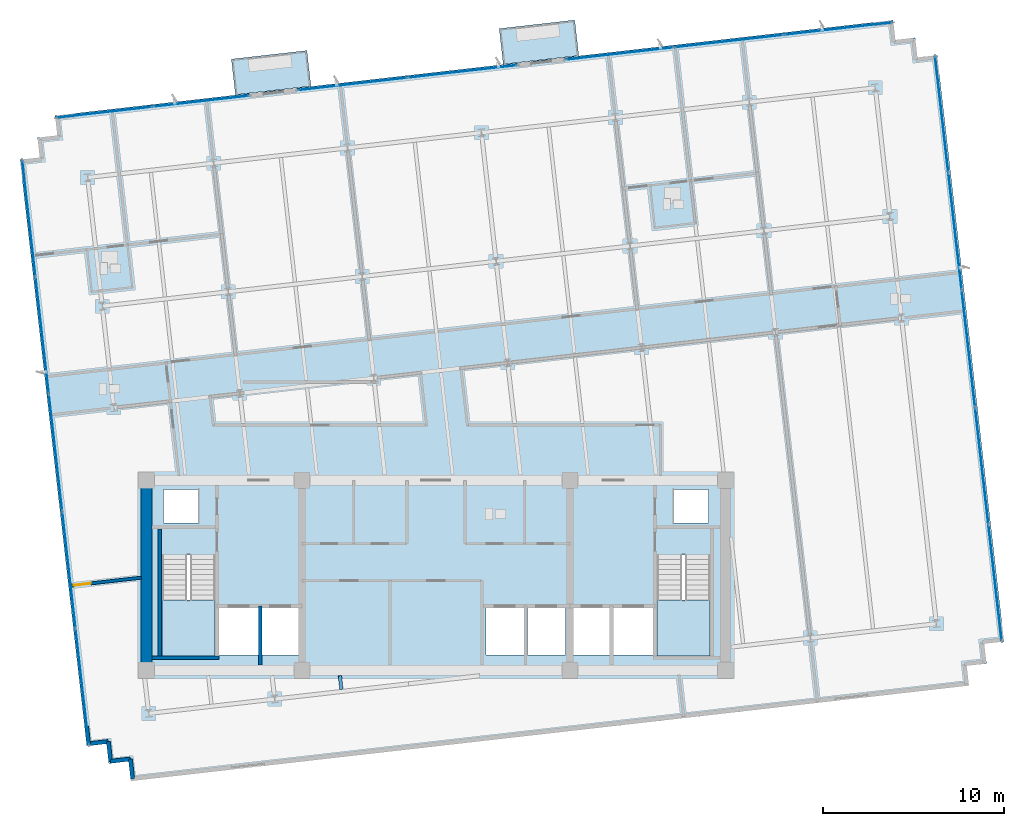
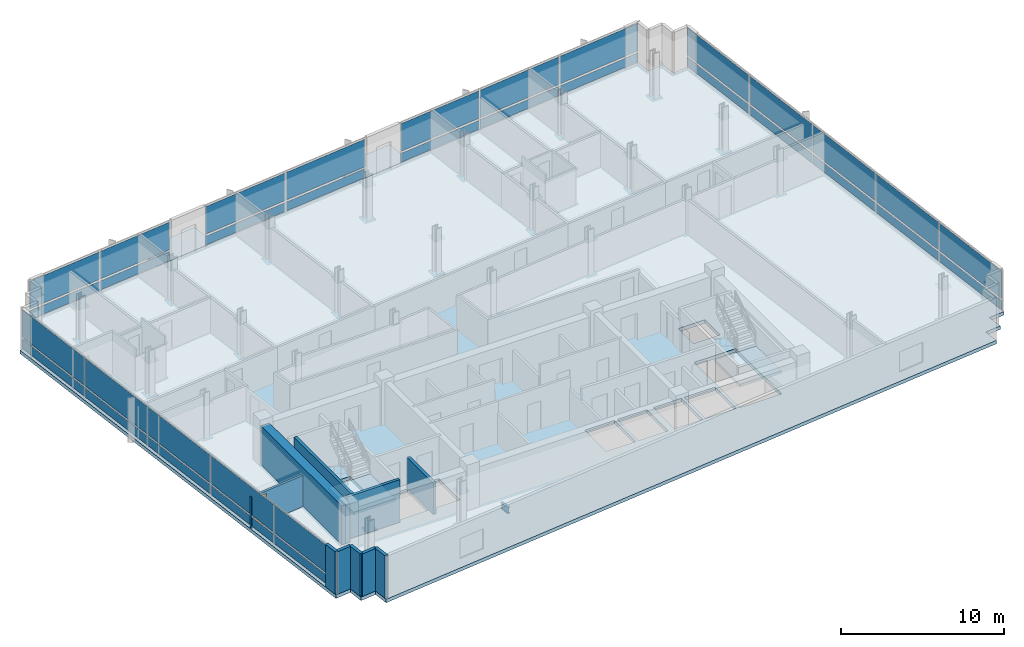
# One storey, part 7 of 15: 34 plates, 10 walls, 5 slabs, 1 beam, 1 door, 1 opening, 7 elements without a shape of their own.
"""IFC4 building model written with IfcOpenShell, lengths in metres."""

from ifc_helpers import new_model, si_unit, direction, frame, frame_2d, origin, origin_2d, place, context, subcontext, project, spatial, polyline, rectangle, i_section, outline, extrude, material, layer, layer_set, material_profile, profile_set, type_object, element, fill, aggregate, save


model = new_model("IFC4")

# Units and contexts
model_context = context("Model", 3, precision=1e-05, world=origin(), true_north=direction((0.0, 1.0)))
body_context = subcontext(model_context, "Body", "Model", "MODEL_VIEW")
ifc_project = project(units=[si_unit("LENGTHUNIT", "METRE"), si_unit("AREAUNIT", "SQUARE_METRE"), si_unit("VOLUMEUNIT", "CUBIC_METRE"), si_unit("PLANEANGLEUNIT", "RADIAN"), si_unit("MASSUNIT", "GRAM", prefix="KILO")], contexts=[model_context])

# Site, building, storey
site_placement = place(None, origin())
site = spatial("IfcSite", under=ifc_project, at=site_placement, CompositionType="ELEMENT")
building_placement = place(site_placement, origin())
building = spatial("IfcBuilding", under=site, at=building_placement, Name="Solmavex Isthmus Hotel", CompositionType="ELEMENT")
storey_placement = place(building_placement, frame((0.0, 0.0, 226.199951171875)))
storey = spatial("IfcBuildingStorey", under=building, at=storey_placement, Name="L61", CompositionType="ELEMENT", Elevation=226.199951171875)

# Beam
ifc_material_1 = material(Name="Steel ASTM A992 Grade 50", Category="steel")
ifc_material_profile = material_profile(ifc_material_1, i_section(OverallWidth=0.1904296875, OverallDepth=0.456787109375, WebThickness=0.009033203125, FlangeThickness=0.014404296875, FilletRadius=0.0126953125, at=origin_2d()), Name="W18X50")
ifc_profile_set = profile_set([ifc_material_profile], Name="Steel ASTM A992 Grade 50")
beam_type = type_object("IfcBeamType", Name="BM-BJ-W18X50", PredefinedType="JOIST", material=ifc_profile_set)
beam_placement = place(storey_placement, frame((-5.2236328125, -14.05419921875, -0.48828125), z_axis=(-0.112902470797, 0.993606074905, 0.0), x_axis=(-0.993606074905, -0.112902470797, 0.0)))
element("IfcBeam", 1, at=beam_placement, inside=storey, type_object=beam_type, Name="Secondary Floor Joist L61-J05", PredefinedType="JOIST", context=body_context, shape_type="SweptSolid", body=[
    extrude(i_section(OverallWidth=0.1904296875, OverallDepth=0.456787109375, WebThickness=0.009033203125, FlangeThickness=0.014404296875, FilletRadius=0.0126953125, at=origin_2d()), origin(), (0.0, 0.0, 1.0), 0.759033203125),
])

# Curtain wall, plates
ifc_material_2 = material(Name="Aluminium alloy 6063-T6", Category="aluminium")
curtain_wall_type = type_object("IfcCurtainWallType", Name="CW-SYS-04", PredefinedType="NOTDEFINED", material=ifc_material_2)
curtain_wall_1_placement = place(storey_placement, origin())
curtain_wall_1 = element("IfcCurtainWall", 2, at=curtain_wall_1_placement, inside=storey, type_object=curtain_wall_type, Name="Stick Curtain Wall CWL-L61-N1", PredefinedType="NOTDEFINED")
ifc_material_3 = material(Name="Clear low-E laminated glass", Category="glass")
ifc_layer_1 = layer(ifc_material_3, 0.033935546875)
ifc_layer_set_1 = layer_set([ifc_layer_1], Name="Clear low-E laminated glass")
plate_type = type_object("IfcPlateType", Name="CW-SYS-04-PNL", PredefinedType="CURTAIN_PANEL", material=ifc_layer_set_1)
plate_1_placement = place(storey_placement, frame((-18.322021484375, 17.832763671875, 0.14990234375), z_axis=(0.0, 0.0, 1.0), x_axis=(0.993571901125, 0.113202814871, 0.0)))
plate_1 = element("IfcPlate", 3, at=plate_1_placement, type_object=plate_type, Name="CW-04 panel 1.1", PredefinedType="CURTAIN_PANEL", context=body_context, shape_type="SweptSolid", body=[
    extrude(rectangle(XDim=5.302978515625, YDim=0.033935546875, at=origin_2d()), origin(), (0.0, 0.0, 1.0), 0.675048828125),
])
plate_2_placement = place(storey_placement, frame((-18.322021484375, 17.832763671875, 0.97509765625), z_axis=(0.0, 0.0, 1.0), x_axis=(0.993571901125, 0.113202814871, 0.0)))
plate_2 = element("IfcPlate", 4, at=plate_2_placement, type_object=plate_type, Name="CW-04 panel 1.2", PredefinedType="CURTAIN_PANEL", context=body_context, shape_type="SweptSolid", body=[
    extrude(rectangle(XDim=5.302978515625, YDim=0.033935546875, at=origin_2d()), origin(), (0.0, 0.0, 1.0), 2.06494140625),
])
plate_3_placement = place(storey_placement, frame((-12.978515625, 18.441650390625, 0.14990234375), z_axis=(0.0, 0.0, 1.0), x_axis=(0.993571901125, 0.113202814871, 0.0)))
plate_3 = element("IfcPlate", 5, at=plate_3_placement, type_object=plate_type, Name="CW-04 panel 2.1", PredefinedType="CURTAIN_PANEL", context=body_context, shape_type="SweptSolid", body=[
    extrude(rectangle(XDim=5.302978515625, YDim=0.033935546875, at=origin_2d()), origin(), (0.0, 0.0, 1.0), 0.675048828125),
])
plate_4_placement = place(storey_placement, frame((-12.978515625, 18.441650390625, 0.97509765625), z_axis=(0.0, 0.0, 1.0), x_axis=(0.993571901125, 0.113202814871, 0.0)))
plate_4 = element("IfcPlate", 6, at=plate_4_placement, type_object=plate_type, Name="CW-04 panel 2.2", PredefinedType="CURTAIN_PANEL", context=body_context, shape_type="SweptSolid", body=[
    extrude(rectangle(XDim=5.302978515625, YDim=0.033935546875, at=origin_2d()), origin(), (0.0, 0.0, 1.0), 2.06494140625),
])
aggregate(curtain_wall_1, [plate_1, plate_2, plate_3, plate_4])

curtain_wall_2_placement = place(storey_placement, origin())
curtain_wall_2 = element("IfcCurtainWall", 7, at=curtain_wall_2_placement, inside=storey, type_object=curtain_wall_type, Name="Stick Curtain Wall CWL-L61-N2", PredefinedType="NOTDEFINED")
plate_5_placement = place(storey_placement, frame((-4.6142578125, 19.39453125, 0.14990234375), z_axis=(0.0, 0.0, 1.0), x_axis=(0.993571896348, 0.113202856801, 0.0)))
plate_5 = element("IfcPlate", 8, at=plate_5_placement, type_object=plate_type, Name="CW-04 panel 1.1", PredefinedType="CURTAIN_PANEL", context=body_context, shape_type="SweptSolid", body=[
    extrude(rectangle(XDim=6.033447265625, YDim=0.033935546875, at=origin_2d()), origin(), (0.0, 0.0, 1.0), 0.675048828125),
])
plate_6_placement = place(storey_placement, frame((-4.6142578125, 19.39453125, 0.97509765625), z_axis=(0.0, 0.0, 1.0), x_axis=(0.993571896348, 0.113202856801, 0.0)))
plate_6 = element("IfcPlate", 9, at=plate_6_placement, type_object=plate_type, Name="CW-04 panel 1.2", PredefinedType="CURTAIN_PANEL", context=body_context, shape_type="SweptSolid", body=[
    extrude(rectangle(XDim=6.033447265625, YDim=0.033935546875, at=origin_2d()), origin(), (0.0, 0.0, 1.0), 2.06494140625),
])
plate_7_placement = place(storey_placement, frame((1.454833984375, 20.086181640625, 0.14990234375), z_axis=(0.0, 0.0, 1.0), x_axis=(0.993571896348, 0.113202856801, 0.0)))
plate_7 = element("IfcPlate", 10, at=plate_7_placement, type_object=plate_type, Name="CW-04 panel 2.1", PredefinedType="CURTAIN_PANEL", context=body_context, shape_type="SweptSolid", body=[
    extrude(rectangle(XDim=6.033447265625, YDim=0.033935546875, at=origin_2d()), origin(), (0.0, 0.0, 1.0), 0.675048828125),
])
plate_8_placement = place(storey_placement, frame((1.454833984375, 20.086181640625, 0.97509765625), z_axis=(0.0, 0.0, 1.0), x_axis=(0.993571896348, 0.113202856801, 0.0)))
plate_8 = element("IfcPlate", 11, at=plate_8_placement, type_object=plate_type, Name="CW-04 panel 2.2", PredefinedType="CURTAIN_PANEL", context=body_context, shape_type="SweptSolid", body=[
    extrude(rectangle(XDim=6.033447265625, YDim=0.033935546875, at=origin_2d()), origin(), (0.0, 0.0, 1.0), 2.06494140625),
])
aggregate(curtain_wall_2, [plate_5, plate_6, plate_7, plate_8])

curtain_wall_3_placement = place(storey_placement, origin())
curtain_wall_3 = element("IfcCurtainWall", 12, at=curtain_wall_3_placement, inside=storey, type_object=curtain_wall_type, Name="Stick Curtain Wall CWL-L61-N3", PredefinedType="NOTDEFINED")
plate_9_placement = place(storey_placement, frame((10.1552734375, 21.077392578125, 0.14990234375), z_axis=(0.0, 0.0, 1.0), x_axis=(0.99357182379, 0.113203493636, 0.0)))
plate_9 = element("IfcPlate", 13, at=plate_9_placement, type_object=plate_type, Name="CW-04 panel 1.1", PredefinedType="CURTAIN_PANEL", context=body_context, shape_type="SweptSolid", body=[
    extrude(rectangle(XDim=5.979736328125, YDim=0.033935546875, at=origin_2d()), origin(), (0.0, 0.0, 1.0), 0.675048828125),
])
plate_10_placement = place(storey_placement, frame((10.1552734375, 21.077392578125, 0.97509765625), z_axis=(0.0, 0.0, 1.0), x_axis=(0.99357182379, 0.113203493636, 0.0)))
plate_10 = element("IfcPlate", 14, at=plate_10_placement, type_object=plate_type, Name="CW-04 panel 1.2", PredefinedType="CURTAIN_PANEL", context=body_context, shape_type="SweptSolid", body=[
    extrude(rectangle(XDim=5.979736328125, YDim=0.033935546875, at=origin_2d()), origin(), (0.0, 0.0, 1.0), 2.06494140625),
])
plate_11_placement = place(storey_placement, frame((16.189697265625, 21.764892578125, 0.14990234375), z_axis=(0.0, 0.0, 1.0), x_axis=(0.99357182379, 0.113203493636, 0.0)))
plate_11 = element("IfcPlate", 15, at=plate_11_placement, type_object=plate_type, Name="CW-04 panel 2.1", PredefinedType="CURTAIN_PANEL", context=body_context, shape_type="SweptSolid", body=[
    extrude(rectangle(XDim=6.017333984375, YDim=0.033935546875, at=origin_2d()), origin(), (0.0, 0.0, 1.0), 0.675048828125),
])
plate_12_placement = place(storey_placement, frame((16.189697265625, 21.764892578125, 0.97509765625), z_axis=(0.0, 0.0, 1.0), x_axis=(0.99357182379, 0.113203493636, 0.0)))
plate_12 = element("IfcPlate", 16, at=plate_12_placement, type_object=plate_type, Name="CW-04 panel 2.2", PredefinedType="CURTAIN_PANEL", context=body_context, shape_type="SweptSolid", body=[
    extrude(rectangle(XDim=6.017333984375, YDim=0.033935546875, at=origin_2d()), origin(), (0.0, 0.0, 1.0), 2.06494140625),
])
plate_13_placement = place(storey_placement, frame((22.224365234375, 22.45263671875, 0.14990234375), z_axis=(0.0, 0.0, 1.0), x_axis=(0.99357182379, 0.113203493636, 0.0)))
plate_13 = element("IfcPlate", 17, at=plate_13_placement, type_object=plate_type, Name="CW-04 panel 3.1", PredefinedType="CURTAIN_PANEL", context=body_context, shape_type="SweptSolid", body=[
    extrude(rectangle(XDim=5.979736328125, YDim=0.033935546875, at=origin_2d()), origin(), (0.0, 0.0, 1.0), 0.675048828125),
])
plate_14_placement = place(storey_placement, frame((22.224365234375, 22.45263671875, 0.97509765625), z_axis=(0.0, 0.0, 1.0), x_axis=(0.99357182379, 0.113203493636, 0.0)))
plate_14 = element("IfcPlate", 18, at=plate_14_placement, type_object=plate_type, Name="CW-04 panel 3.2", PredefinedType="CURTAIN_PANEL", context=body_context, shape_type="SweptSolid", body=[
    extrude(rectangle(XDim=5.979736328125, YDim=0.033935546875, at=origin_2d()), origin(), (0.0, 0.0, 1.0), 2.06494140625),
])
aggregate(curtain_wall_3, [plate_9, plate_10, plate_11, plate_12, plate_13, plate_14])

curtain_wall_4_placement = place(storey_placement, origin())
curtain_wall_4 = element("IfcCurtainWall", 19, at=curtain_wall_4_placement, inside=storey, type_object=curtain_wall_type, Name="Stick Curtain Wall CWL-L61-W1", PredefinedType="NOTDEFINED")
plate_15_placement = place(storey_placement, frame((-19.542724609375, -13.91064453125, 0.14990234375), z_axis=(0.0, 0.0, 1.0), x_axis=(-0.11320338078, 0.993571836648, 0.0)))
plate_15 = element("IfcPlate", 20, at=plate_15_placement, type_object=plate_type, Name="CW-04 panel 1.1", PredefinedType="CURTAIN_PANEL", context=body_context, shape_type="SweptSolid", body=[
    extrude(rectangle(XDim=6.407470703125, YDim=0.033935546875, at=origin_2d()), origin(), (0.0, 0.0, 1.0), 0.675048828125),
])
plate_16_placement = place(storey_placement, frame((-19.542724609375, -13.91064453125, 0.97509765625), z_axis=(0.0, 0.0, 1.0), x_axis=(-0.11320338078, 0.993571836648, 0.0)))
plate_16 = element("IfcPlate", 21, at=plate_16_placement, type_object=plate_type, Name="CW-04 panel 1.2", PredefinedType="CURTAIN_PANEL", context=body_context, shape_type="SweptSolid", body=[
    extrude(rectangle(XDim=6.407470703125, YDim=0.033935546875, at=origin_2d()), origin(), (0.0, 0.0, 1.0), 2.06494140625),
])
plate_17_placement = place(storey_placement, frame((-20.27880859375, -7.451171875, 0.14990234375), z_axis=(0.0, 0.0, 1.0), x_axis=(-0.11320338078, 0.993571836648, 0.0)))
plate_17 = element("IfcPlate", 22, at=plate_17_placement, type_object=plate_type, Name="CW-04 panel 2.1", PredefinedType="CURTAIN_PANEL", context=body_context, shape_type="SweptSolid", body=[
    extrude(rectangle(XDim=6.445068359375, YDim=0.033935546875, at=origin_2d()), origin(), (0.0, 0.0, 1.0), 0.675048828125),
])
plate_18_placement = place(storey_placement, frame((-20.27880859375, -7.451171875, 0.97509765625), z_axis=(0.0, 0.0, 1.0), x_axis=(-0.11320338078, 0.993571836648, 0.0)))
plate_18 = element("IfcPlate", 23, at=plate_18_placement, type_object=plate_type, Name="CW-04 panel 2.2", PredefinedType="CURTAIN_PANEL", context=body_context, shape_type="SweptSolid", body=[
    extrude(rectangle(XDim=6.445068359375, YDim=0.033935546875, at=origin_2d()), origin(), (0.0, 0.0, 1.0), 2.06494140625),
])
plate_19_placement = place(storey_placement, frame((-21.016845703125, -0.97314453125, 0.14990234375), z_axis=(0.0, 0.0, 1.0), x_axis=(-0.11320338078, 0.993571836648, 0.0)))
plate_19 = element("IfcPlate", 24, at=plate_19_placement, type_object=plate_type, Name="CW-04 panel 3.1", PredefinedType="CURTAIN_PANEL", context=body_context, shape_type="SweptSolid", body=[
    extrude(rectangle(XDim=6.445068359375, YDim=0.033935546875, at=origin_2d()), origin(), (0.0, 0.0, 1.0), 0.675048828125),
])
plate_20_placement = place(storey_placement, frame((-21.016845703125, -0.97314453125, 0.97509765625), z_axis=(0.0, 0.0, 1.0), x_axis=(-0.11320338078, 0.993571836648, 0.0)))
plate_20 = element("IfcPlate", 25, at=plate_20_placement, type_object=plate_type, Name="CW-04 panel 3.2", PredefinedType="CURTAIN_PANEL", context=body_context, shape_type="SweptSolid", body=[
    extrude(rectangle(XDim=6.445068359375, YDim=0.033935546875, at=origin_2d()), origin(), (0.0, 0.0, 1.0), 2.06494140625),
])
plate_21_placement = place(storey_placement, frame((-21.7548828125, 5.5048828125, 0.14990234375), z_axis=(0.0, 0.0, 1.0), x_axis=(-0.11320338078, 0.993571836648, 0.0)))
plate_21 = element("IfcPlate", 26, at=plate_21_placement, type_object=plate_type, Name="CW-04 panel 4.1", PredefinedType="CURTAIN_PANEL", context=body_context, shape_type="SweptSolid", body=[
    extrude(rectangle(XDim=6.445068359375, YDim=0.033935546875, at=origin_2d()), origin(), (0.0, 0.0, 1.0), 0.675048828125),
])
plate_22_placement = place(storey_placement, frame((-21.7548828125, 5.5048828125, 0.97509765625), z_axis=(0.0, 0.0, 1.0), x_axis=(-0.11320338078, 0.993571836648, 0.0)))
plate_22 = element("IfcPlate", 27, at=plate_22_placement, type_object=plate_type, Name="CW-04 panel 4.2", PredefinedType="CURTAIN_PANEL", context=body_context, shape_type="SweptSolid", body=[
    extrude(rectangle(XDim=6.445068359375, YDim=0.033935546875, at=origin_2d()), origin(), (0.0, 0.0, 1.0), 2.06494140625),
])
plate_23_placement = place(storey_placement, frame((-22.490966796875, 11.96435546875, 0.14990234375), z_axis=(0.0, 0.0, 1.0), x_axis=(-0.11320338078, 0.993571836648, 0.0)))
plate_23 = element("IfcPlate", 28, at=plate_23_placement, type_object=plate_type, Name="CW-04 panel 5.1", PredefinedType="CURTAIN_PANEL", context=body_context, shape_type="SweptSolid", body=[
    extrude(rectangle(XDim=6.407470703125, YDim=0.033935546875, at=origin_2d()), origin(), (0.0, 0.0, 1.0), 0.675048828125),
])
plate_24_placement = place(storey_placement, frame((-22.490966796875, 11.96435546875, 0.97509765625), z_axis=(0.0, 0.0, 1.0), x_axis=(-0.11320338078, 0.993571836648, 0.0)))
plate_24 = element("IfcPlate", 29, at=plate_24_placement, type_object=plate_type, Name="CW-04 panel 5.2", PredefinedType="CURTAIN_PANEL", context=body_context, shape_type="SweptSolid", body=[
    extrude(rectangle(XDim=6.407470703125, YDim=0.033935546875, at=origin_2d()), origin(), (0.0, 0.0, 1.0), 2.06494140625),
])
aggregate(curtain_wall_4, [plate_15, plate_16, plate_17, plate_18, plate_19, plate_20, plate_21, plate_22, plate_23, plate_24])

curtain_wall_5_placement = place(storey_placement, origin())
curtain_wall_5 = element("IfcCurtainWall", 30, at=curtain_wall_5_placement, inside=storey, type_object=curtain_wall_type, Name="Stick Curtain Wall CWL-L61-E1", PredefinedType="NOTDEFINED")
plate_25_placement = place(storey_placement, frame((30.890869140625, -8.16455078125, 0.14990234375), z_axis=(0.0, 0.0, 1.0), x_axis=(-0.11320338078, 0.993571836648, 0.0)))
plate_25 = element("IfcPlate", 31, at=plate_25_placement, type_object=plate_type, Name="CW-04 panel 1.1", PredefinedType="CURTAIN_PANEL", context=body_context, shape_type="SweptSolid", body=[
    extrude(rectangle(XDim=6.407470703125, YDim=0.033935546875, at=origin_2d()), origin(), (0.0, 0.0, 1.0), 0.675048828125),
])
plate_26_placement = place(storey_placement, frame((30.890869140625, -8.16455078125, 0.97509765625), z_axis=(0.0, 0.0, 1.0), x_axis=(-0.11320338078, 0.993571836648, 0.0)))
plate_26 = element("IfcPlate", 32, at=plate_26_placement, type_object=plate_type, Name="CW-04 panel 1.2", PredefinedType="CURTAIN_PANEL", context=body_context, shape_type="SweptSolid", body=[
    extrude(rectangle(XDim=6.407470703125, YDim=0.033935546875, at=origin_2d()), origin(), (0.0, 0.0, 1.0), 2.06494140625),
])
plate_27_placement = place(storey_placement, frame((30.155029296875, -1.705078125, 0.14990234375), z_axis=(0.0, 0.0, 1.0), x_axis=(-0.11320338078, 0.993571836648, 0.0)))
plate_27 = element("IfcPlate", 33, at=plate_27_placement, type_object=plate_type, Name="CW-04 panel 2.1", PredefinedType="CURTAIN_PANEL", context=body_context, shape_type="SweptSolid", body=[
    extrude(rectangle(XDim=6.445068359375, YDim=0.033935546875, at=origin_2d()), origin(), (0.0, 0.0, 1.0), 0.675048828125),
])
plate_28_placement = place(storey_placement, frame((30.155029296875, -1.705078125, 0.97509765625), z_axis=(0.0, 0.0, 1.0), x_axis=(-0.11320338078, 0.993571836648, 0.0)))
plate_28 = element("IfcPlate", 34, at=plate_28_placement, type_object=plate_type, Name="CW-04 panel 2.2", PredefinedType="CURTAIN_PANEL", context=body_context, shape_type="SweptSolid", body=[
    extrude(rectangle(XDim=6.445068359375, YDim=0.033935546875, at=origin_2d()), origin(), (0.0, 0.0, 1.0), 2.06494140625),
])
plate_29_placement = place(storey_placement, frame((29.416748046875, 4.773193359375, 0.14990234375), z_axis=(0.0, 0.0, 1.0), x_axis=(-0.11320338078, 0.993571836648, 0.0)))
plate_29 = element("IfcPlate", 35, at=plate_29_placement, type_object=plate_type, Name="CW-04 panel 3.1", PredefinedType="CURTAIN_PANEL", context=body_context, shape_type="SweptSolid", body=[
    extrude(rectangle(XDim=6.445068359375, YDim=0.033935546875, at=origin_2d()), origin(), (0.0, 0.0, 1.0), 0.675048828125),
])
plate_30_placement = place(storey_placement, frame((29.416748046875, 4.773193359375, 0.97509765625), z_axis=(0.0, 0.0, 1.0), x_axis=(-0.11320338078, 0.993571836648, 0.0)))
plate_30 = element("IfcPlate", 36, at=plate_30_placement, type_object=plate_type, Name="CW-04 panel 3.2", PredefinedType="CURTAIN_PANEL", context=body_context, shape_type="SweptSolid", body=[
    extrude(rectangle(XDim=6.445068359375, YDim=0.033935546875, at=origin_2d()), origin(), (0.0, 0.0, 1.0), 2.06494140625),
])
plate_31_placement = place(storey_placement, frame((28.6787109375, 11.251220703125, 0.14990234375), z_axis=(0.0, 0.0, 1.0), x_axis=(-0.11320338078, 0.993571836648, 0.0)))
plate_31 = element("IfcPlate", 37, at=plate_31_placement, type_object=plate_type, Name="CW-04 panel 4.1", PredefinedType="CURTAIN_PANEL", context=body_context, shape_type="SweptSolid", body=[
    extrude(rectangle(XDim=6.445068359375, YDim=0.033935546875, at=origin_2d()), origin(), (0.0, 0.0, 1.0), 0.675048828125),
])
plate_32_placement = place(storey_placement, frame((28.6787109375, 11.251220703125, 0.97509765625), z_axis=(0.0, 0.0, 1.0), x_axis=(-0.11320338078, 0.993571836648, 0.0)))
plate_32 = element("IfcPlate", 38, at=plate_32_placement, type_object=plate_type, Name="CW-04 panel 4.2", PredefinedType="CURTAIN_PANEL", context=body_context, shape_type="SweptSolid", body=[
    extrude(rectangle(XDim=6.445068359375, YDim=0.033935546875, at=origin_2d()), origin(), (0.0, 0.0, 1.0), 2.06494140625),
])
plate_33_placement = place(storey_placement, frame((27.94287109375, 17.710693359375, 0.14990234375), z_axis=(0.0, 0.0, 1.0), x_axis=(-0.11320338078, 0.993571836648, 0.0)))
plate_33 = element("IfcPlate", 39, at=plate_33_placement, type_object=plate_type, Name="CW-04 panel 5.1", PredefinedType="CURTAIN_PANEL", context=body_context, shape_type="SweptSolid", body=[
    extrude(rectangle(XDim=6.407470703125, YDim=0.033935546875, at=origin_2d()), origin(), (0.0, 0.0, 1.0), 0.675048828125),
])
plate_34_placement = place(storey_placement, frame((27.94287109375, 17.710693359375, 0.97509765625), z_axis=(0.0, 0.0, 1.0), x_axis=(-0.11320338078, 0.993571836648, 0.0)))
plate_34 = element("IfcPlate", 40, at=plate_34_placement, type_object=plate_type, Name="CW-04 panel 5.2", PredefinedType="CURTAIN_PANEL", context=body_context, shape_type="SweptSolid", body=[
    extrude(rectangle(XDim=6.407470703125, YDim=0.033935546875, at=origin_2d()), origin(), (0.0, 0.0, 1.0), 2.06494140625),
])
aggregate(curtain_wall_5, [plate_25, plate_26, plate_27, plate_28, plate_29, plate_30, plate_31, plate_32, plate_33, plate_34])

# Slabs
ifc_material_4 = material(Name="Concrete C40/50", Category="concrete")
ifc_layer_2 = layer(ifc_material_4, 0.239990234375)
ifc_layer_set_2 = layer_set([ifc_layer_2], Name="Concrete C40/50")
slab_type_1 = type_object("IfcSlabType", Name="SLAB-BALC-240", PredefinedType="FLOOR", material=ifc_layer_set_2)
slab_1_placement = place(storey_placement, frame((0.0, 0.0, -0.239990234375)))
element("IfcSlab", 41, at=slab_1_placement, inside=storey, type_object=slab_type_1, Name="Tree-Planter Balcony Slab L61-B1", PredefinedType="FLOOR", context=body_context, shape_type="SweptSolid", body=[
    extrude(outline(polyline([(-11.07958984375, 18.7939453125), (-6.90673828125, 19.269287109375), (-7.13134765625, 21.24169921875), (-11.304443359375, 20.76611328125), (-11.07958984375, 18.7939453125)])), origin(), (0.0, 0.0, 1.0), 0.239990234375),
])
slab_2_placement = place(storey_placement, frame((0.0, 0.0, -0.239990234375)))
element("IfcSlab", 42, at=slab_2_placement, inside=storey, type_object=slab_type_1, Name="Tree-Planter Balcony Slab L61-B2", PredefinedType="FLOOR", context=body_context, shape_type="SweptSolid", body=[
    extrude(outline(polyline([(3.716552734375, 20.479736328125), (7.8896484375, 20.955078125), (7.664794921875, 22.927490234375), (3.491943359375, 22.451904296875), (3.716552734375, 20.479736328125)])), origin(), (0.0, 0.0, 1.0), 0.239990234375),
])
ifc_layer_3 = layer(ifc_material_4, 0.260009765625)
ifc_layer_set_3 = layer_set([ifc_layer_3], Name="Concrete C40/50")
slab_type_2 = type_object("IfcSlabType", Name="SLAB-TYP-260", PredefinedType="FLOOR", material=ifc_layer_set_3)
slab_3_placement = place(storey_placement, frame((0.0, 0.0, -0.260009765625)))
element("IfcSlab", 43, at=slab_3_placement, inside=storey, type_object=slab_type_2, Name="Tower Structural Floor Slab L61", PredefinedType="FLOOR", context=body_context, shape_type="SweptSolid", body=[
    extrude(outline(polyline([(-15.762939453125, -18.994140625), (28.3515625, -13.968017578125), (29.444580078125, -13.843505859375), (29.320068359375, -12.75048828125), (30.412841796875, -12.6259765625), (30.288330078125, -11.532958984375), (31.38134765625, -11.408447265625), (31.2568359375, -10.315673828125), (27.8154296875, 19.888916015625), (27.69091796875, 20.98193359375), (26.597900390625, 20.857421875), (26.473388671875, 21.9501953125), (25.38037109375, 21.82568359375), (25.255859375, 22.918701171875), (24.1630859375, 22.794189453125), (-19.95166015625, 17.76806640625), (-21.04443359375, 17.6435546875), (-20.919921875, 16.550537109375), (-22.012939453125, 16.426025390625), (-21.888427734375, 15.3330078125), (-22.981201171875, 15.20849609375), (-22.856689453125, 14.11572265625), (-19.415283203125, -16.0888671875), (-19.290771484375, -17.181884765625), (-18.197998046875, -17.057373046875), (-18.073486328125, -18.150390625), (-16.98046875, -18.02587890625), (-16.85595703125, -19.11865234375), (-15.762939453125, -18.994140625)]), holes=[polyline([(-15.14990234375, -6.617919921875), (-15.14990234375, -12.199951171875), (-12.199951171875, -12.199951171875), (-12.199951171875, -6.617919921875), (-15.14990234375, -6.617919921875)]), polyline([(12.199951171875, -6.617919921875), (12.199951171875, -12.199951171875), (15.14990234375, -12.199951171875), (15.14990234375, -6.617919921875), (12.199951171875, -6.617919921875)]), polyline([(-12.0, -12.14990234375), (-9.800048828125, -12.14990234375), (-9.800048828125, -9.550048828125), (-12.0, -9.550048828125), (-12.0, -12.14990234375)]), polyline([(9.800048828125, -12.14990234375), (12.0, -12.14990234375), (12.0, -9.550048828125), (9.800048828125, -9.550048828125), (9.800048828125, -12.14990234375)]), polyline([(-9.60009765625, -12.14990234375), (-7.60009765625, -12.14990234375), (-7.60009765625, -9.550048828125), (-9.60009765625, -9.550048828125), (-9.60009765625, -12.14990234375)]), polyline([(7.60009765625, -12.14990234375), (9.60009765625, -12.14990234375), (9.60009765625, -9.550048828125), (7.60009765625, -9.550048828125), (7.60009765625, -12.14990234375)]), polyline([(2.75, -12.14990234375), (4.85009765625, -12.14990234375), (4.85009765625, -9.550048828125), (2.75, -9.550048828125), (2.75, -12.14990234375)]), polyline([(5.050048828125, -12.14990234375), (7.14990234375, -12.14990234375), (7.14990234375, -9.550048828125), (5.050048828125, -9.550048828125), (5.050048828125, -12.14990234375)]), polyline([(-15.050048828125, -4.85009765625), (-13.14990234375, -4.85009765625), (-13.14990234375, -3.0), (-15.050048828125, -3.0), (-15.050048828125, -4.85009765625)]), polyline([(13.14990234375, -4.85009765625), (15.050048828125, -4.85009765625), (15.050048828125, -3.0), (13.14990234375, -3.0), (13.14990234375, -4.85009765625)])]), origin(), (0.0, 0.0, 1.0), 0.260009765625),
])

# Stair, slab
stair_type_1 = type_object("IfcStairType", Name="STR-ST-1", PredefinedType="HALF_TURN_STAIR", material=ifc_material_4)
stair_1_placement = place(storey_placement, origin())
stair_1 = element("IfcStair", 44, at=stair_1_placement, inside=storey, type_object=stair_type_1, Name="L61 Protected Exit Stair ST-1", PredefinedType="HALF_TURN_STAIR")
ifc_layer_4 = layer(ifc_material_4, 0.219970703125)
ifc_layer_set_4 = layer_set([ifc_layer_4], Name="Concrete C40/50")
slab_type_3 = type_object("IfcSlabType", Name="SLD-ST-1", PredefinedType="LANDING", material=ifc_layer_set_4)
slab_4_placement = place(storey_placement, frame((0.0, 0.0, 1.525146484375)))
slab_4 = element("IfcSlab", 45, at=slab_4_placement, type_object=slab_type_3, Name="ST-1 landing 1", PredefinedType="LANDING", context=body_context, shape_type="SweptSolid", body=[
    extrude(outline(polyline([(-15.14990234375, -9.1201171875), (-15.14990234375, -12.199951171875), (-12.199951171875, -12.199951171875), (-12.199951171875, -9.1201171875), (-15.14990234375, -9.1201171875)])), origin(), (0.0, 0.0, 1.0), 0.199951171875),
])
aggregate(stair_1, [slab_4])

stair_type_2 = type_object("IfcStairType", Name="STR-ST-2", PredefinedType="HALF_TURN_STAIR", material=ifc_material_4)
stair_2_placement = place(storey_placement, origin())
stair_2 = element("IfcStair", 46, at=stair_2_placement, inside=storey, type_object=stair_type_2, Name="L61 Protected Exit Stair ST-2", PredefinedType="HALF_TURN_STAIR")
ifc_layer_5 = layer(ifc_material_4, 0.219970703125)
ifc_layer_set_5 = layer_set([ifc_layer_5], Name="Concrete C40/50")
slab_type_4 = type_object("IfcSlabType", Name="SLD-ST-2", PredefinedType="LANDING", material=ifc_layer_set_5)
slab_5_placement = place(storey_placement, frame((0.0, 0.0, 1.525146484375)))
slab_5 = element("IfcSlab", 47, at=slab_5_placement, type_object=slab_type_4, Name="ST-2 landing 1", PredefinedType="LANDING", context=body_context, shape_type="SweptSolid", body=[
    extrude(outline(polyline([(12.199951171875, -9.1201171875), (12.199951171875, -12.199951171875), (15.14990234375, -12.199951171875), (15.14990234375, -9.1201171875), (12.199951171875, -9.1201171875)])), origin(), (0.0, 0.0, 1.0), 0.199951171875),
])
aggregate(stair_2, [slab_5])

# Walls
ifc_material_5 = material(Name="Precast Concrete C40/50", Category="concrete")
ifc_layer_6 = layer(ifc_material_5, 0.25)
ifc_layer_set_6 = layer_set([ifc_layer_6], Name="Precast Concrete C40/50")
wall_type_1 = type_object("IfcWallType", Name="EW-TWR-250", PredefinedType="STANDARD", material=ifc_layer_set_6)
for number, where, z_axis, x_axis, name in (
    (48, (-16.759033203125, -18.9970703125, 0.0), (0.0, 0.0, 1.0), (-0.113183557839, 0.99357409499, 0.0), "Serrated Corner Facade Panel L61-01"),
    (49, (-16.883544921875, -17.904052734375, 0.0), (0.0, 0.0, 1.0), (-0.99357409499, -0.113183557839, 0.0), "Serrated Corner Facade Panel L61-02"),
    (50, (-17.9765625, -18.028564453125, 0.0), (0.0, 0.0, 1.0), (-0.113183557839, 0.99357409499, 0.0), "Serrated Corner Facade Panel L61-03"),
    (51, (-18.10107421875, -16.935546875, 0.0), (0.0, 0.0, 1.0), (-0.99357409499, -0.113183557839, 0.0), "Serrated Corner Facade Panel L61-04"),
):
    element("IfcWall", number, at=place(storey_placement, frame(where, z_axis=z_axis, x_axis=x_axis)), inside=storey, type_object=wall_type_1, Name=name, PredefinedType="STANDARD", context=body_context, shape_type="SweptSolid", body=[
        extrude(rectangle(XDim=1.10009765625, YDim=0.219970703125, at=frame_2d((0.550048828125, 0.0))), origin(), (0.0, 0.0, 1.0), 3.18994140625),
    ])
wall_1_placement = place(storey_placement, frame((-19.194091796875, -17.06005859375, 0.0), z_axis=(0.0, 0.0, 1.0), x_axis=(-0.113191877531, 0.993573147212, 0.0)))
element("IfcWall", 52, at=wall_1_placement, inside=storey, type_object=wall_type_1, Name="Serrated Corner Facade Panel L61-05", PredefinedType="STANDARD", context=body_context, shape_type="SweptSolid", body=[
    extrude(rectangle(XDim=0.989990234375, YDim=0.219970703125, at=frame_2d((0.4951171875, 0.0))), origin(), (0.0, 0.0, 1.0), 3.18994140625),
])

# Wall, opening, door
ifc_material_6 = material(Name="Gypsum plasterboard lining", Category="gypsum")
ifc_layer_7 = layer(ifc_material_6, 0.159912109375)
ifc_layer_set_7 = layer_set([ifc_layer_7], Name="Gypsum plasterboard lining")
wall_type_2 = type_object("IfcWallType", Name="IW-COMP-160", PredefinedType="PARTITIONING", material=ifc_layer_set_7)
wall_2_placement = place(storey_placement, frame((-16.26025390625, -7.879150390625, 0.0), z_axis=(0.0, 0.0, 1.0), x_axis=(-0.993575066155, -0.113175032204, 0.0)))
wall_2 = element("IfcWall", 53, at=wall_2_placement, inside=storey, type_object=wall_type_2, Name="Interior Partition Wall W-L61-P057", PredefinedType="PARTITIONING", context=body_context, shape_type="SweptSolid", body=[
    extrude(rectangle(XDim=3.984375, YDim=0.159912109375, at=frame_2d((1.9921875, 0.0))), origin(), (0.0, 0.0, 1.0), 2.324951171875),
])
opening_placement = place(wall_2_placement, frame((2.82421875, 0.0, 0.0)))
opening = element("IfcOpeningElement", 54, at=opening_placement, cuts=wall_2, Name="Opening ID-C095", PredefinedType="OPENING", context=body_context, shape_type="SweptSolid", body=[
    extrude(rectangle(XDim=0.949951171875, YDim=2.14990234375, at=frame_2d((0.47509765625, 1.074951171875))), frame((0.0, 0.08984375, 0.0), z_axis=(0.0, -1.0, 0.0), x_axis=(1.0, 0.0, 0.0)), (0.0, 0.0, 1.0), 0.179931640625),
])
ifc_material_7 = material(Name="Hardwood timber", Category="wood")
door_type = type_object("IfcDoorType", Name="IDR-FD60-0950", OperationType="NOTDEFINED", PredefinedType="DOOR", material=ifc_material_7)
door_placement = place(opening_placement, frame((0.949951171875, 0.0, 0.0), z_axis=(0.0, 0.0, 1.0), x_axis=(-1.0, 0.0, 0.0)))
door = element("IfcDoor", 55, at=door_placement, inside=storey, type_object=door_type, Name="Corporate Briefing Office Door L61-16", OperationType="SINGLE_SWING_RIGHT", OverallHeight=2.14990234375, OverallWidth=0.949951171875, PredefinedType="DOOR", context=body_context, shape_type="SweptSolid", body=[
    extrude(rectangle(XDim=0.949951171875, YDim=2.14990234375, at=frame_2d((0.47509765625, 1.074951171875))), frame((0.0, 0.02490234375, 0.0), z_axis=(0.0, -1.0, 0.0), x_axis=(1.0, 0.0, 0.0)), (0.0, 0.0, 1.0), 0.050048828125),
])
fill(opening, door)

# Walls
ifc_layer_8 = layer(ifc_material_4, 0.199951171875)
ifc_layer_set_8 = layer_set([ifc_layer_8], Name="Concrete C40/50")
wall_type_3 = type_object("IfcWallType", Name="IW-SHAFT-200", PredefinedType="PARTITIONING", material=ifc_layer_set_8)
wall_3_placement = place(storey_placement, frame((-9.699951171875, -12.699951171875, 0.0), z_axis=(0.0, 0.0, 1.0), x_axis=(0.0, 1.0, 0.0)))
element("IfcWall", 56, at=wall_3_placement, inside=storey, type_object=wall_type_3, Name="Interior Partition Wall W-L61-FFLW-M", PredefinedType="PARTITIONING", context=body_context, shape_type="SweptSolid", body=[
    extrude(rectangle(XDim=3.25, YDim=0.199951171875, at=frame_2d((1.625, 0.0))), origin(), (0.0, 0.0, 1.0), 2.324951171875),
])
ifc_material_8 = material(Name="Concrete C50/60", Category="concrete")
ifc_layer_9 = layer(ifc_material_8, 0.60009765625)
ifc_layer_set_9 = layer_set([ifc_layer_9], Name="Concrete C50/60")
wall_type_4 = type_object("IfcWallType", Name="WALL-CW-600", PredefinedType="SHEAR", material=ifc_layer_set_9)
wall_4_placement = place(storey_placement, frame((-16.0, -12.699951171875, 0.0), z_axis=(0.0, 0.0, 1.0), x_axis=(0.0, 1.0, 0.0)))
element("IfcWall", 57, at=wall_4_placement, inside=storey, type_object=wall_type_4, Name="Core Shear Wall West L61", PredefinedType="SHEAR", context=body_context, shape_type="SweptSolid", body=[
    extrude(rectangle(XDim=9.89990234375, YDim=0.60009765625, at=frame_2d((4.949951171875, 0.0))), origin(), (0.0, 0.0, 1.0), 2.91015625),
])
ifc_layer_10 = layer(ifc_material_4, 0.199951171875)
ifc_layer_set_10 = layer_set([ifc_layer_10], Name="Concrete C40/50")
wall_type_5 = type_object("IfcWallType", Name="WALL-SW-200", PredefinedType="SOLIDWALL", material=ifc_layer_set_10)
wall_5_placement = place(storey_placement, frame((-15.699951171875, -12.300048828125, 0.0), z_axis=(0.0, 0.0, 1.0), x_axis=(1.0, 0.0, 0.0)))
element("IfcWall", 58, at=wall_5_placement, inside=storey, type_object=wall_type_5, Name="Stairwell Structural Wall SW-L61-ST1-S", PredefinedType="SOLIDWALL", context=body_context, shape_type="SweptSolid", body=[
    extrude(rectangle(XDim=3.699951171875, YDim=0.199951171875, at=frame_2d((1.85009765625, 0.0))), origin(), (0.0, 0.0, 1.0), 3.18994140625),
])
wall_6_placement = place(storey_placement, frame((-15.25, -12.199951171875, 0.0), z_axis=(0.0, 0.0, 1.0), x_axis=(0.0, 1.0, 0.0)))
element("IfcWall", 59, at=wall_6_placement, inside=storey, type_object=wall_type_5, Name="Stairwell Structural Wall SW-L61-ST1-W", PredefinedType="SOLIDWALL", context=body_context, shape_type="SweptSolid", body=[
    extrude(rectangle(XDim=7.0, YDim=0.199951171875, at=frame_2d((3.5, 0.0))), origin(), (0.0, 0.0, 1.0), 3.18994140625),
])

save(model, "model.ifc")
